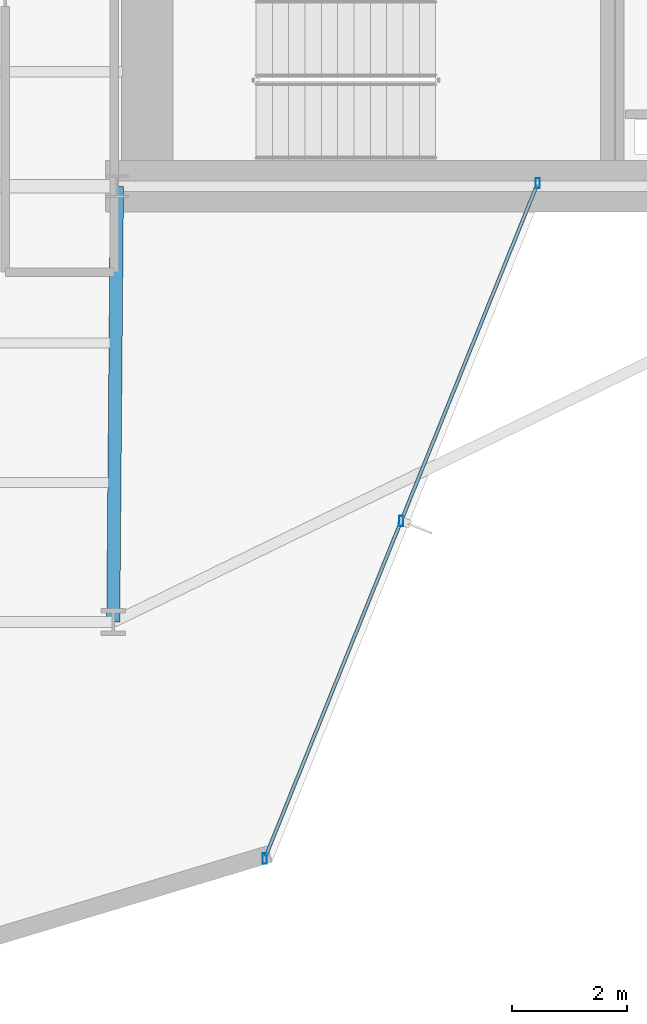
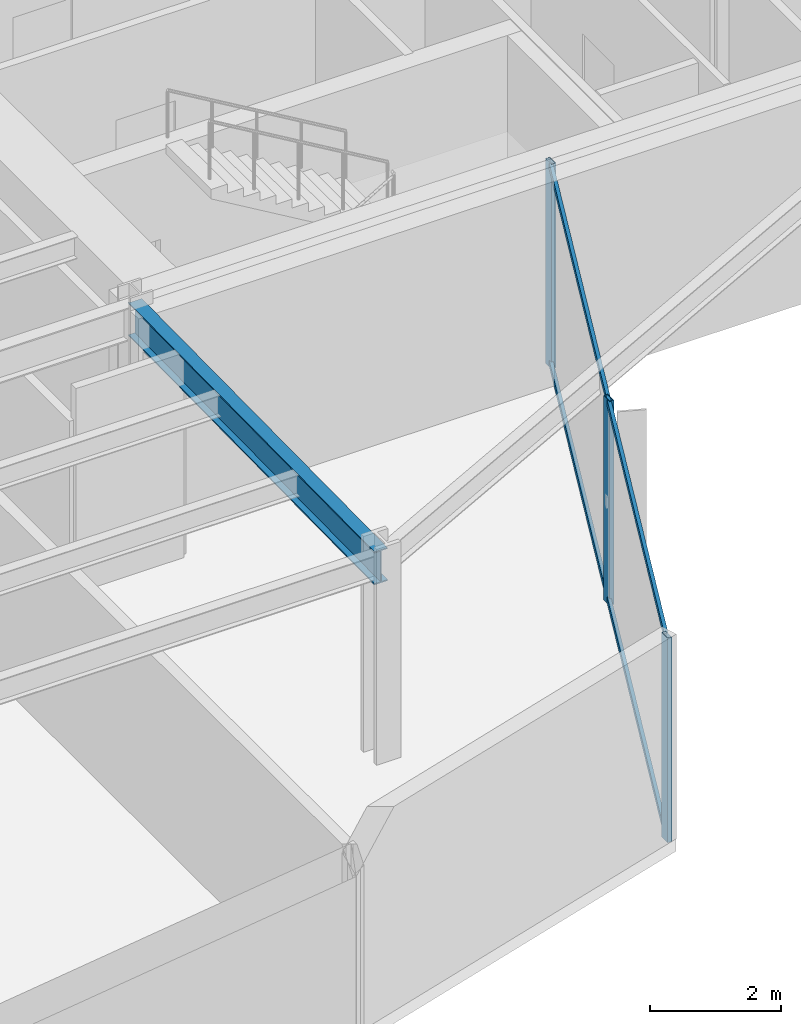
# One storey, part 14 of 29: 5 members, 1 beam, 1 element without a shape of its own.
"""IFC4 building model written with IfcOpenShell, lengths in metres."""

import ifcopenshell
import ifcopenshell.guid

model = None  # the IFC model being written
_history = None  # IfcOwnerHistory: only IFC2X3 demands one
_inside = {}  # id of a spatial element -> (the spatial element, [elements in it])
_under = {}  # id of a project, library or spatial element -> (it, [spatial elements below it])
_declared = {}  # id of a project -> (the project, [libraries it declares])
_typed = {}  # id of a type object -> (the type object, [elements of that type])
_made_of = {}  # id of a material, layer set ... -> (it, [elements and type objects made of it])


def new_model(schema):
    """Start an empty IFC model of exactly this schema.

    Asked for "IFC4X3", IfcOpenShell would pick the latest addendum, in which some entities
    have other attributes; the version numbers below select the first issue.
    IFC2X3 requires an IfcOwnerHistory on every rooted entity: one is made here for all.
    """
    global model, _history
    if schema == "IFC4X3":
        model = ifcopenshell.file(schema_version=(4, 3, 0, 0))
    else:
        model = ifcopenshell.file(schema=schema)
    _inside.clear()
    _under.clear()
    _declared.clear()
    _typed.clear()
    _made_of.clear()
    _history = None
    if model.schema == "IFC2X3":
        org = make("IfcOrganization", Name="unknown")
        user = make(
            "IfcPersonAndOrganization",
            ThePerson=make("IfcPerson", FamilyName="unknown"),
            TheOrganization=org,
        )
        app = make(
            "IfcApplication",
            ApplicationDeveloper=org,
            Version="unknown",
            ApplicationFullName="unknown",
            ApplicationIdentifier="unknown",
        )
        _history = make(
            "IfcOwnerHistory",
            OwningUser=user,
            OwningApplication=app,
            ChangeAction="ADDED",
            CreationDate=0,
        )
    return model


def make(cls, **values):
    """One entity of the class cls with the attributes given. An attribute that is None is left unset."""
    return model.create_entity(
        cls, **{name: value for name, value in values.items() if value is not None}
    )


def rooted(cls, **values):
    """An entity with a GlobalId (a new one), such as an element, a storey or a relation."""
    return make(cls, GlobalId=ifcopenshell.guid.new(), OwnerHistory=_history, **values)


def si_unit(unit_type, name, prefix=None):
    """IfcSIUnit, for example si_unit("LENGTHUNIT", "METRE", prefix="MILLI")."""
    return make("IfcSIUnit", UnitType=unit_type, Prefix=prefix, Name=name)


def assignment(units):
    """IfcUnitAssignment: the units of a project."""
    return None if units is None else make("IfcUnitAssignment", Units=units)


def point(xyz):
    """IfcCartesianPoint."""
    return None if xyz is None else make("IfcCartesianPoint", Coordinates=xyz)


def direction(xyz):
    """IfcDirection."""
    return None if xyz is None else make("IfcDirection", DirectionRatios=xyz)


def frame(location, z_axis=None, x_axis=None):
    """IfcAxis2Placement3D, a coordinate frame: its origin and axes. An axis left out is left unset."""
    return make(
        "IfcAxis2Placement3D",
        Location=point(location),
        Axis=direction(z_axis),
        RefDirection=direction(x_axis),
    )


def frame_2d(location, x_axis=None):
    """IfcAxis2Placement2D, a coordinate frame in the plane: its origin and x axis."""
    return make(
        "IfcAxis2Placement2D", Location=point(location), RefDirection=direction(x_axis)
    )


def origin():
    """The frame at (0, 0, 0) with its axes left unset."""
    return frame((0.0, 0.0, 0.0))


def origin_2d():
    """The frame at (0, 0) in the plane with its x axis left unset."""
    return frame_2d((0.0, 0.0))


def place(relative_to, where):
    """IfcLocalPlacement: puts the frame where relative to a parent placement (None: the world)."""
    return make(
        "IfcLocalPlacement", PlacementRelTo=relative_to, RelativePlacement=where
    )


def context(
    kind, dimensions, precision=None, world=None, true_north=None, identifier=None
):
    """IfcGeometricRepresentationContext, for example the 3D "Model" context."""
    return make(
        "IfcGeometricRepresentationContext",
        ContextIdentifier=identifier,
        ContextType=kind,
        CoordinateSpaceDimension=dimensions,
        Precision=precision,
        WorldCoordinateSystem=world,
        TrueNorth=true_north,
    )


def subcontext(parent, identifier, kind, view, scale=None):
    """IfcGeometricRepresentationSubContext, for example "Body" below "Model"."""
    return make(
        "IfcGeometricRepresentationSubContext",
        ContextIdentifier=identifier,
        ContextType=kind,
        ParentContext=parent,
        TargetScale=scale,
        TargetView=view,
    )


def project(units=None, contexts=None):
    """IfcProject with its units and contexts."""
    return rooted(
        "IfcProject",
        Name="project",
        RepresentationContexts=contexts,
        UnitsInContext=assignment(units),
    )


def spatial(cls, under=None, at=None, **own):
    """A site, building, storey or space (cls), placed at a placement, below another one or the project."""
    s = rooted(cls, ObjectPlacement=at, **own)
    if under is not None:
        _under.setdefault(under.id(), (under, []))[1].append(s)
    return s


def profile(cls, at=None, kind="AREA", **sizes):
    """A parametric profile (cls). Its sizes go by their IFC names, for example OverallWidth=200.0."""
    return make(cls, ProfileType=kind, Position=at, **sizes)


def hollow_rectangle(**sizes):
    """IfcRectangleHollowProfileDef."""
    return profile("IfcRectangleHollowProfileDef", **sizes)


def i_section(**sizes):
    """IfcIShapeProfileDef."""
    return profile("IfcIShapeProfileDef", **sizes)


def extrude(swept, where, along, depth):
    """IfcExtrudedAreaSolid: the profile swept, set in the frame where, extruded along a direction by depth."""
    return make(
        "IfcExtrudedAreaSolid",
        SweptArea=swept,
        Position=where,
        ExtrudedDirection=direction(along),
        Depth=depth,
    )


def shape(context_of_items, identifier, shape_type, items):
    """IfcShapeRepresentation: the items that make up one representation, for example the "Body"."""
    return make(
        "IfcShapeRepresentation",
        ContextOfItems=context_of_items,
        RepresentationIdentifier=identifier,
        RepresentationType=shape_type,
        Items=items,
    )


def material(Name=None, Category=None):
    """IfcMaterial."""
    return make("IfcMaterial", Name=Name, Category=Category)


def layer(
    of_material, thickness, ventilated=None, Name=None, Category=None, Priority=None
):
    """IfcMaterialLayer: one layer of a wall or slab, of a material (None: an air gap)."""
    return make(
        "IfcMaterialLayer",
        Material=of_material,
        LayerThickness=thickness,
        IsVentilated=ventilated,
        Name=Name,
        Category=Category,
        Priority=Priority,
    )


def layer_set(layers, Name=None):
    """IfcMaterialLayerSet."""
    return make("IfcMaterialLayerSet", MaterialLayers=layers, LayerSetName=Name)


def material_profile(
    of_material, cross_section, Name=None, Category=None, Priority=None
):
    """IfcMaterialProfile: a cross section and its material."""
    return make(
        "IfcMaterialProfile",
        Name=Name,
        Material=of_material,
        Profile=cross_section,
        Priority=Priority,
        Category=Category,
    )


def profile_set(profiles, Name=None, composite=None):
    """IfcMaterialProfileSet."""
    return make(
        "IfcMaterialProfileSet",
        Name=Name,
        MaterialProfiles=profiles,
        CompositeProfile=composite,
    )


def made_of(thing, what):
    """Note that an element or type object is made of a material, layer set ...; save() writes the relation."""
    if what is not None:
        _made_of.setdefault(what.id(), (what, []))[1].append(thing)
    return thing


def type_object(cls, material=None, **own):
    """A type object (cls), such as IfcWallType, which elements share."""
    return made_of(rooted(cls, **own), material)


def element(
    cls,
    number,
    at=None,
    inside=None,
    cuts=None,
    type_object=None,
    material=None,
    context=None,
    identifier="Body",
    shape_type=None,
    held_by="IfcProductDefinitionShape",
    body=None,
    shapes=None,
    **own,
):
    """One element of the class cls, such as IfcWall. Its Tag is "e" and its number.

    at: its placement. inside: the storey or other place that contains it. cuts: it is an
    opening in that element (IfcRelVoidsElement). A single representation is given by context,
    identifier, shape_type and body (its items); several are given by shapes. held_by: the class
    of the entity that holds the representations. save() writes the other relations.
    """
    e = rooted(cls, Tag="e%d" % number, ObjectPlacement=at, **own)
    if body is not None:
        shapes = [shape(context, identifier, shape_type, body)]
    if shapes is not None:
        e.Representation = make(held_by, Representations=shapes)
    if inside is not None:
        _inside.setdefault(inside.id(), (inside, []))[1].append(e)
    if cuts is not None:
        rooted(
            "IfcRelVoidsElement", RelatingBuildingElement=cuts, RelatedOpeningElement=e
        )
    if type_object is not None:
        _typed.setdefault(type_object.id(), (type_object, []))[1].append(e)
    return made_of(e, material)


def aggregate(whole, parts):
    """IfcRelAggregates: a whole, such as a stair, and the parts it consists of."""
    return rooted("IfcRelAggregates", RelatingObject=whole, RelatedObjects=parts)


def save(model, path):
    """Write the relations noted so far, then the file.

    IfcRelAggregates (storeys below a building ...), IfcRelContainedInSpatialStructure (elements
    in a storey), IfcRelDefinesByType, IfcRelAssociatesMaterial and IfcRelDeclares: one each for
    every whole, place, type object, material and project.
    """
    for whole, parts in _under.values():
        aggregate(whole, parts)
    for where, things in _inside.values():
        rooted(
            "IfcRelContainedInSpatialStructure",
            RelatedElements=things,
            RelatingStructure=where,
        )
    for kind, things in _typed.values():
        rooted("IfcRelDefinesByType", RelatedObjects=things, RelatingType=kind)
    for what, things in _made_of.values():
        rooted("IfcRelAssociatesMaterial", RelatedObjects=things, RelatingMaterial=what)
    for by, libraries in _declared.values():
        rooted("IfcRelDeclares", RelatingContext=by, RelatedDefinitions=libraries)
    model.write(path)


model = new_model("IFC4")

# Units and contexts
model_context = context("Model", 3, precision=1e-05, world=origin(), true_north=direction((0.0, 1.0)))
body_context = subcontext(model_context, "Body", "Model", "MODEL_VIEW")
ifc_project = project(units=[si_unit("LENGTHUNIT", "METRE"), si_unit("AREAUNIT", "SQUARE_METRE"), si_unit("VOLUMEUNIT", "CUBIC_METRE"), si_unit("PLANEANGLEUNIT", "RADIAN"), si_unit("MASSUNIT", "GRAM", prefix="KILO")], contexts=[model_context])

# Site, building, storey
site_placement = place(None, origin())
site = spatial("IfcSite", under=ifc_project, at=site_placement, CompositionType="ELEMENT")
building_placement = place(site_placement, origin())
building = spatial("IfcBuilding", under=site, at=building_placement, Name="Veymaron Broadcast Tower", CompositionType="ELEMENT")
storey_placement = place(building_placement, frame((0.0, 0.0, 62.10009765625)))
storey = spatial("IfcBuildingStorey", under=building, at=storey_placement, Name="L13", CompositionType="ELEMENT", Elevation=62.10009765625)

# Beam
ifc_material_1 = material(Name="Structural steel ASTM A992 Gr 50", Category="steel")
ifc_material_profile_1 = material_profile(ifc_material_1, i_section(OverallWidth=0.22998046875, OverallDepth=0.616943359375, WebThickness=0.01318359375, FlangeThickness=0.022216796875, at=origin_2d()), Name="W610X140")
ifc_profile_set_1 = profile_set([ifc_material_profile_1], Name="Structural steel ASTM A992 Gr 50")
beam_type = type_object("IfcBeamType", Name="BM-FG1", PredefinedType="BEAM", material=ifc_profile_set_1)
beam_placement = place(storey_placement, frame((39.0, 16.0, 3.50146484375), z_axis=(-0.008533262174, -0.999963591056, 0.0), x_axis=(0.999963591056, -0.008533262174, 0.0)))
element("IfcBeam", 1, at=beam_placement, inside=storey, type_object=beam_type, Name="L13 primary structural floor girder", PredefinedType="BEAM", context=body_context, shape_type="SweptSolid", body=[
    extrude(i_section(OverallWidth=0.22998046875, OverallDepth=0.616943359375, WebThickness=0.01318359375, FlangeThickness=0.022216796875, at=origin_2d()), origin(), (0.0, 0.0, 1.0), 7.6103515625),
])

# Curtain wall, members
ifc_material_2 = material(Name="Anodised aluminium AA 6063-T6 and laminated low-E dark glass", Category="aluminium")
ifc_layer = layer(ifc_material_2, 0.179931640625)
ifc_layer_set = layer_set([ifc_layer], Name="Anodised aluminium AA 6063-T6 and laminated low-E dark glass")
curtain_wall_type = type_object("IfcCurtainWallType", Name="CW-SYS-02", PredefinedType="NOTDEFINED", material=ifc_layer_set)
curtain_wall_placement = place(storey_placement, origin())
curtain_wall = element("IfcCurtainWall", 2, at=curtain_wall_placement, inside=storey, type_object=curtain_wall_type, Name="L13 dark-glass curtain wall CW-L13-E20-1", PredefinedType="NOTDEFINED")
ifc_material_3 = material(Name="Anodised aluminium AA 6063-T6", Category="aluminium")
ifc_material_profile_2 = material_profile(ifc_material_3, hollow_rectangle(XDim=0.074951171875, YDim=0.179931640625, WallThickness=0.0048828125, at=origin_2d()), Name="AL180X75X5")
ifc_profile_set_2 = profile_set([ifc_material_profile_2], Name="Anodised aluminium AA 6063-T6")
member_type_1 = type_object("IfcMemberType", Name="CW-MUL-02", PredefinedType="MULLION", material=ifc_profile_set_2)
member_1_placement = place(storey_placement, frame((41.580322265625, 4.258544921875, 0.0), z_axis=(0.0, 0.0, 1.0), x_axis=(1.0, 0.0, 0.0)))
member_1 = element("IfcMember", 3, at=member_1_placement, type_object=member_type_1, Name="CW-L13-E20-1 mullion 0", PredefinedType="MULLION", context=body_context, shape_type="SweptSolid", body=[
    extrude(hollow_rectangle(XDim=0.074951171875, YDim=0.179931640625, WallThickness=0.0048828125, at=origin_2d()), origin(), (0.0, 0.0, 1.0), 3.809814453125),
])
member_2_placement = place(storey_placement, frame((43.963623046875, 10.155517578125, 0.0), z_axis=(0.0, 0.0, 1.0), x_axis=(1.0, 0.0, 0.0)))
member_2 = element("IfcMember", 4, at=member_2_placement, type_object=member_type_1, Name="CW-L13-E20-1 mullion 1", PredefinedType="MULLION", context=body_context, shape_type="SweptSolid", body=[
    extrude(hollow_rectangle(XDim=0.074951171875, YDim=0.179931640625, WallThickness=0.0048828125, at=origin_2d()), origin(), (0.0, 0.0, 1.0), 3.809814453125),
])
member_3_placement = place(storey_placement, frame((46.346923828125, 16.052490234375, 0.0), z_axis=(0.0, 0.0, 1.0), x_axis=(1.0, 0.0, 0.0)))
member_3 = element("IfcMember", 5, at=member_3_placement, type_object=member_type_1, Name="CW-L13-E20-1 mullion 2", PredefinedType="MULLION", context=body_context, shape_type="SweptSolid", body=[
    extrude(hollow_rectangle(XDim=0.074951171875, YDim=0.179931640625, WallThickness=0.0048828125, at=origin_2d()), origin(), (0.0, 0.0, 1.0), 3.809814453125),
])
ifc_material_profile_3 = material_profile(ifc_material_3, hollow_rectangle(XDim=0.06005859375, YDim=0.1201171875, WallThickness=0.00390625, at=origin_2d()), Name="AL120X60X4")
ifc_profile_set_3 = profile_set([ifc_material_profile_3], Name="Anodised aluminium AA 6063-T6")
member_type_2 = type_object("IfcMemberType", Name="CW-TRN-02", PredefinedType="USERDEFINED", material=ifc_profile_set_3)
member_4_placement = place(storey_placement, frame((41.59912109375, 4.304931640625, 0.06982421875), z_axis=(0.374703561178, 0.927144671149, 0.0), x_axis=(-0.927144671149, 0.374703561178, 0.0)))
member_4 = element("IfcMember", 6, at=member_4_placement, type_object=member_type_2, Name="CW-L13-E20-1 transom B", ObjectType="TRANSOM", PredefinedType="USERDEFINED", context=body_context, shape_type="SweptSolid", body=[
    extrude(hollow_rectangle(XDim=0.06005859375, YDim=0.1201171875, WallThickness=0.00390625, at=origin_2d()), origin(), (0.0, 0.0, 1.0), 12.62060546875),
])
member_5_placement = place(storey_placement, frame((41.59912109375, 4.304931640625, 3.739990234375), z_axis=(0.374703561178, 0.927144671149, 0.0), x_axis=(-0.927144671149, 0.374703561178, 0.0)))
member_5 = element("IfcMember", 7, at=member_5_placement, type_object=member_type_2, Name="CW-L13-E20-1 transom T", ObjectType="TRANSOM", PredefinedType="USERDEFINED", context=body_context, shape_type="SweptSolid", body=[
    extrude(hollow_rectangle(XDim=0.06005859375, YDim=0.1201171875, WallThickness=0.00390625, at=origin_2d()), origin(), (0.0, 0.0, 1.0), 12.62060546875),
])
aggregate(curtain_wall, [member_1, member_2, member_3, member_4, member_5])

save(model, "model.ifc")
